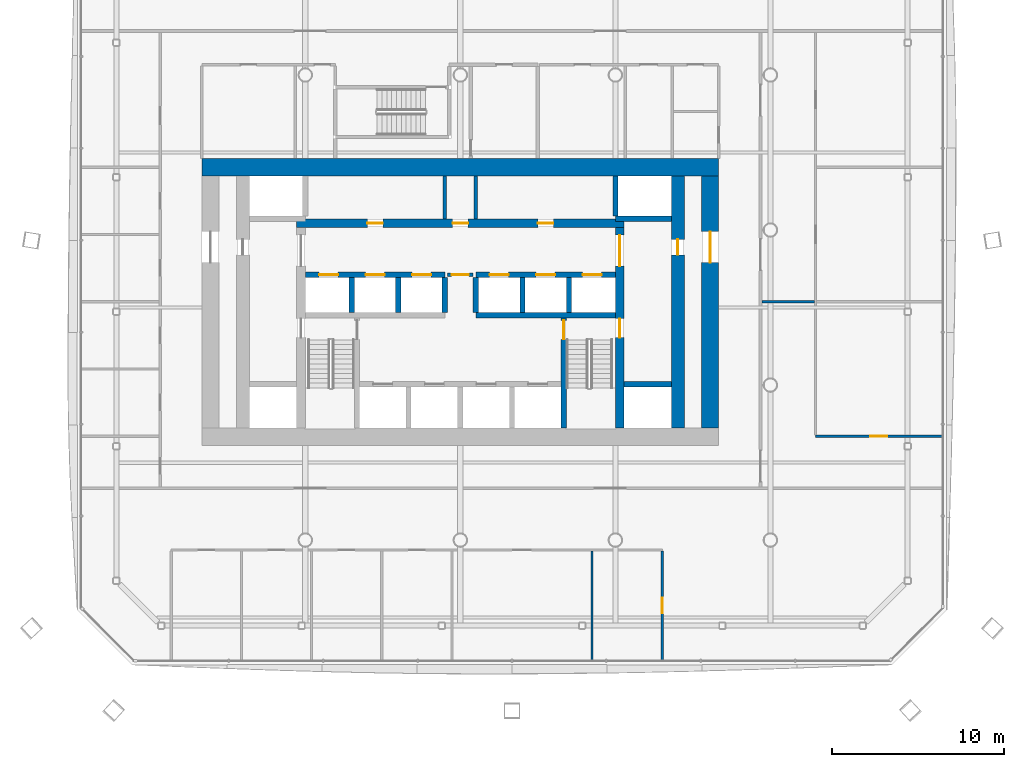
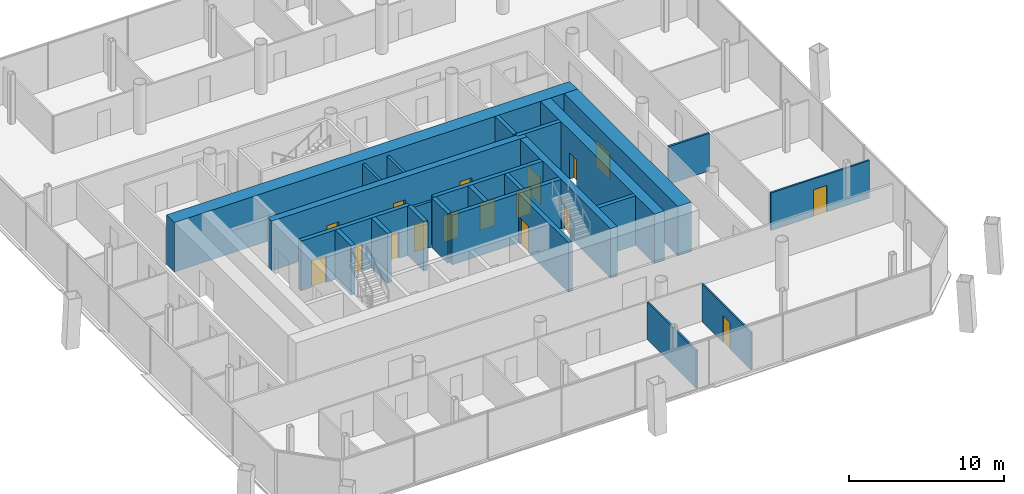
# One storey, part 12 of 19: 25 walls, 17 doors, 17 openings.
"""IFC4 building model written with IfcOpenShell, lengths in metres."""

from ifc_helpers import new_model, si_unit, direction, frame, frame_2d, origin, place, context, subcontext, project, spatial, rectangle, extrude, material, layer, layer_set, type_object, element, fill, save


model = new_model("IFC4")

# Units and contexts
model_context = context("Model", 3, precision=1e-05, world=origin(), true_north=direction((0.0, 1.0)))
body_context = subcontext(model_context, "Body", "Model", "MODEL_VIEW")
ifc_project = project(units=[si_unit("LENGTHUNIT", "METRE"), si_unit("AREAUNIT", "SQUARE_METRE"), si_unit("VOLUMEUNIT", "CUBIC_METRE"), si_unit("PLANEANGLEUNIT", "RADIAN"), si_unit("MASSUNIT", "GRAM", prefix="KILO")], contexts=[model_context])

# Site, building, storey
site_placement = place(None, origin())
site = spatial("IfcSite", under=ifc_project, at=site_placement, CompositionType="ELEMENT")
building_placement = place(site_placement, origin())
building = spatial("IfcBuilding", under=site, at=building_placement, Name="Tskaro Facet Tower", CompositionType="ELEMENT")
storey_placement = place(building_placement, frame((0.0, 0.0, 77.699951171875)))
storey = spatial("IfcBuildingStorey", under=building, at=storey_placement, Name="L18", CompositionType="ELEMENT", Elevation=77.699951171875)

# Walls
ifc_material_1 = material(Name="Concrete C60/75", Category="concrete")
ifc_layer_1 = layer(ifc_material_1, 0.300048828125, Name="Concrete C60/75")
ifc_layer_set_1 = layer_set([ifc_layer_1], Name="Concrete C60/75")
wall_type_1 = type_object("IfcWallType", Name="CORE-SHAFT", PredefinedType="SHEAR", material=ifc_layer_set_1)
wall_1_placement = place(storey_placement, frame((9.5, -8.949951171875, 0.0), z_axis=(0.0, 0.0, 1.0), x_axis=(1.0, 0.0, 0.0)))
element("IfcWall", 1, at=wall_1_placement, inside=storey, type_object=wall_type_1, Name="Shaft wall W007", PredefinedType="SHEAR", context=body_context, shape_type="SweptSolid", body=[
    extrude(rectangle(XDim=2.75, YDim=0.300048828125, at=frame_2d((1.375, 0.0))), origin(), (0.0, 0.0, 1.0), 3.900146484375),
])
wall_2_placement = place(storey_placement, frame((0.89990234375, -4.949951171875, 0.0), z_axis=(0.0, 0.0, 1.0), x_axis=(1.0, 0.0, 0.0)))
element("IfcWall", 2, at=wall_2_placement, inside=storey, type_object=wall_type_1, Name="Shaft wall W010", PredefinedType="SHEAR", context=body_context, shape_type="SweptSolid", body=[
    extrude(rectangle(XDim=8.10009765625, YDim=0.300048828125, at=frame_2d((4.050048828125, 0.0))), origin(), (0.0, 0.0, 1.0), 3.900146484375),
])

# Wall, openings, doors
wall_3_placement = place(storey_placement, frame((-9.0, -2.60009765625, 0.0), z_axis=(0.0, 0.0, 1.0), x_axis=(1.0, 0.0, 0.0)))
wall_3 = element("IfcWall", 3, at=wall_3_placement, inside=storey, type_object=wall_type_1, Name="Shaft wall W014", PredefinedType="SHEAR", context=body_context, shape_type="SweptSolid", body=[
    extrude(rectangle(XDim=8.10009765625, YDim=0.300048828125, at=frame_2d((4.050048828125, 0.0))), origin(), (0.0, 0.0, 1.0), 3.900146484375),
])
opening_1_placement = place(wall_3_placement, frame((0.800048828125, 0.0, 0.0)))
opening_1 = element("IfcOpeningElement", 4, at=opening_1_placement, cuts=wall_3, Name="Opening LD-LR1", PredefinedType="OPENING", context=body_context, shape_type="SweptSolid", body=[
    extrude(rectangle(XDim=1.10009765625, YDim=2.10009765625, at=frame_2d((0.550048828125, 1.050048828125))), frame((0.0, 0.159912109375, 0.0), z_axis=(0.0, -1.0, 0.0), x_axis=(1.0, 0.0, 0.0)), (0.0, 0.0, 1.0), 0.320068359375),
])
opening_2_placement = place(wall_3_placement, frame((3.5, 0.0, 0.0)))
opening_2 = element("IfcOpeningElement", 5, at=opening_2_placement, cuts=wall_3, Name="Opening LD-LR2", PredefinedType="OPENING", context=body_context, shape_type="SweptSolid", body=[
    extrude(rectangle(XDim=1.10009765625, YDim=2.10009765625, at=frame_2d((0.550048828125, 1.050048828125))), frame((0.0, 0.159912109375, 0.0), z_axis=(0.0, -1.0, 0.0), x_axis=(1.0, 0.0, 0.0)), (0.0, 0.0, 1.0), 0.320068359375),
])
opening_3_placement = place(wall_3_placement, frame((6.199951171875, 0.0, 0.0)))
opening_3 = element("IfcOpeningElement", 6, at=opening_3_placement, cuts=wall_3, Name="Opening LD-LR3", PredefinedType="OPENING", context=body_context, shape_type="SweptSolid", body=[
    extrude(rectangle(XDim=1.10009765625, YDim=2.10009765625, at=frame_2d((0.550048828125, 1.050048828125))), frame((0.0, 0.159912109375, 0.0), z_axis=(0.0, -1.0, 0.0), x_axis=(1.0, 0.0, 0.0)), (0.0, 0.0, 1.0), 0.320068359375),
])
ifc_material_2 = material(Name="Stainless steel", Category="steel")
door_type_1 = type_object("IfcDoorType", Name="D-LANDING", OperationType="NOTDEFINED", PredefinedType="DOOR", material=ifc_material_2)
door_1_placement = place(opening_1_placement, origin())
door_1 = element("IfcDoor", 7, at=door_1_placement, inside=storey, type_object=door_type_1, Name="Landing door LR1", OperationType="DOUBLE_DOOR_SLIDING", OverallHeight=2.10009765625, OverallWidth=1.10009765625, PredefinedType="DOOR", context=body_context, shape_type="SweptSolid", body=[
    extrude(rectangle(XDim=1.10009765625, YDim=2.10009765625, at=frame_2d((0.550048828125, 1.050048828125))), frame((0.0, 0.02490234375, 0.0), z_axis=(0.0, -1.0, 0.0), x_axis=(1.0, 0.0, 0.0)), (0.0, 0.0, 1.0), 0.050048828125),
])
fill(opening_1, door_1)
door_2_placement = place(opening_2_placement, origin())
door_2 = element("IfcDoor", 8, at=door_2_placement, inside=storey, type_object=door_type_1, Name="Landing door LR2", OperationType="DOUBLE_DOOR_SLIDING", OverallHeight=2.10009765625, OverallWidth=1.10009765625, PredefinedType="DOOR", context=body_context, shape_type="SweptSolid", body=[
    extrude(rectangle(XDim=1.10009765625, YDim=2.10009765625, at=frame_2d((0.550048828125, 1.050048828125))), frame((0.0, 0.02490234375, 0.0), z_axis=(0.0, -1.0, 0.0), x_axis=(1.0, 0.0, 0.0)), (0.0, 0.0, 1.0), 0.050048828125),
])
fill(opening_2, door_2)
door_3_placement = place(opening_3_placement, origin())
door_3 = element("IfcDoor", 9, at=door_3_placement, inside=storey, type_object=door_type_1, Name="Landing door LR3", OperationType="DOUBLE_DOOR_SLIDING", OverallHeight=2.10009765625, OverallWidth=1.10009765625, PredefinedType="DOOR", context=body_context, shape_type="SweptSolid", body=[
    extrude(rectangle(XDim=1.10009765625, YDim=2.10009765625, at=frame_2d((0.550048828125, 1.050048828125))), frame((0.0, 0.02490234375, 0.0), z_axis=(0.0, -1.0, 0.0), x_axis=(1.0, 0.0, 0.0)), (0.0, 0.0, 1.0), 0.050048828125),
])
fill(opening_3, door_3)

wall_4_placement = place(storey_placement, frame((0.89990234375, -2.60009765625, 0.0), z_axis=(0.0, 0.0, 1.0), x_axis=(1.0, 0.0, 0.0)))
wall_4 = element("IfcWall", 10, at=wall_4_placement, inside=storey, type_object=wall_type_1, Name="Shaft wall W016", PredefinedType="SHEAR", context=body_context, shape_type="SweptSolid", body=[
    extrude(rectangle(XDim=8.10009765625, YDim=0.300048828125, at=frame_2d((4.050048828125, 0.0))), origin(), (0.0, 0.0, 1.0), 3.900146484375),
])
opening_4_placement = place(wall_4_placement, frame((0.800048828125, 0.0, 0.0)))
opening_4 = element("IfcOpeningElement", 11, at=opening_4_placement, cuts=wall_4, Name="Opening LD-LR4", PredefinedType="OPENING", context=body_context, shape_type="SweptSolid", body=[
    extrude(rectangle(XDim=1.10009765625, YDim=2.10009765625, at=frame_2d((0.550048828125, 1.050048828125))), frame((0.0, 0.159912109375, 0.0), z_axis=(0.0, -1.0, 0.0), x_axis=(1.0, 0.0, 0.0)), (0.0, 0.0, 1.0), 0.320068359375),
])
opening_5_placement = place(wall_4_placement, frame((3.5, 0.0, 0.0)))
opening_5 = element("IfcOpeningElement", 12, at=opening_5_placement, cuts=wall_4, Name="Opening LD-LR5", PredefinedType="OPENING", context=body_context, shape_type="SweptSolid", body=[
    extrude(rectangle(XDim=1.10009765625, YDim=2.10009765625, at=frame_2d((0.550048828125, 1.050048828125))), frame((0.0, 0.159912109375, 0.0), z_axis=(0.0, -1.0, 0.0), x_axis=(1.0, 0.0, 0.0)), (0.0, 0.0, 1.0), 0.320068359375),
])
opening_6_placement = place(wall_4_placement, frame((6.199951171875, 0.0, 0.0)))
opening_6 = element("IfcOpeningElement", 13, at=opening_6_placement, cuts=wall_4, Name="Opening LD-LR6", PredefinedType="OPENING", context=body_context, shape_type="SweptSolid", body=[
    extrude(rectangle(XDim=1.10009765625, YDim=2.10009765625, at=frame_2d((0.550048828125, 1.050048828125))), frame((0.0, 0.159912109375, 0.0), z_axis=(0.0, -1.0, 0.0), x_axis=(1.0, 0.0, 0.0)), (0.0, 0.0, 1.0), 0.320068359375),
])
door_4_placement = place(opening_4_placement, origin())
door_4 = element("IfcDoor", 14, at=door_4_placement, inside=storey, type_object=door_type_1, Name="Landing door LR4", OperationType="DOUBLE_DOOR_SLIDING", OverallHeight=2.10009765625, OverallWidth=1.10009765625, PredefinedType="DOOR", context=body_context, shape_type="SweptSolid", body=[
    extrude(rectangle(XDim=1.10009765625, YDim=2.10009765625, at=frame_2d((0.550048828125, 1.050048828125))), frame((0.0, 0.02490234375, 0.0), z_axis=(0.0, -1.0, 0.0), x_axis=(1.0, 0.0, 0.0)), (0.0, 0.0, 1.0), 0.050048828125),
])
fill(opening_4, door_4)
door_5_placement = place(opening_5_placement, origin())
door_5 = element("IfcDoor", 15, at=door_5_placement, inside=storey, type_object=door_type_1, Name="Landing door LR5", OperationType="DOUBLE_DOOR_SLIDING", OverallHeight=2.10009765625, OverallWidth=1.10009765625, PredefinedType="DOOR", context=body_context, shape_type="SweptSolid", body=[
    extrude(rectangle(XDim=1.10009765625, YDim=2.10009765625, at=frame_2d((0.550048828125, 1.050048828125))), frame((0.0, 0.02490234375, 0.0), z_axis=(0.0, -1.0, 0.0), x_axis=(1.0, 0.0, 0.0)), (0.0, 0.0, 1.0), 0.050048828125),
])
fill(opening_5, door_5)
door_6_placement = place(opening_6_placement, origin())
door_6 = element("IfcDoor", 16, at=door_6_placement, inside=storey, type_object=door_type_1, Name="Landing door LR6", OperationType="DOUBLE_DOOR_SLIDING", OverallHeight=2.10009765625, OverallWidth=1.10009765625, PredefinedType="DOOR", context=body_context, shape_type="SweptSolid", body=[
    extrude(rectangle(XDim=1.10009765625, YDim=2.10009765625, at=frame_2d((0.550048828125, 1.050048828125))), frame((0.0, 0.02490234375, 0.0), z_axis=(0.0, -1.0, 0.0), x_axis=(1.0, 0.0, 0.0)), (0.0, 0.0, 1.0), 0.050048828125),
])
fill(opening_6, door_6)

# Walls
wall_5_placement = place(storey_placement, frame((12.25, 0.64990234375, 0.0), z_axis=(0.0, 0.0, 1.0), x_axis=(-1.0, 0.0, 0.0)))
element("IfcWall", 17, at=wall_5_placement, inside=storey, type_object=wall_type_1, Name="Shaft wall W019", PredefinedType="SHEAR", context=body_context, shape_type="SweptSolid", body=[
    extrude(rectangle(XDim=3.25, YDim=0.300048828125, at=frame_2d((1.625, 0.0))), origin(), (0.0, 0.0, 1.0), 3.900146484375),
])
for number, where, z_axis, x_axis, name in (
    (18, (-6.300048828125, -4.800048828125, 0.0), (0.0, 0.0, 1.0), (0.0, 1.0, 0.0), "Shaft wall W042"),
    (19, (-3.60009765625, -4.800048828125, 0.0), (0.0, 0.0, 1.0), (0.0, 1.0, 0.0), "Shaft wall W045"),
    (20, (-0.89990234375, -4.800048828125, 0.0), (0.0, 0.0, 1.0), (0.0, 1.0, 0.0), "Shaft wall W047"),
    (21, (0.89990234375, -4.800048828125, 0.0), (0.0, 0.0, 1.0), (0.0, 1.0, 0.0), "Shaft wall W055"),
    (22, (3.60009765625, -4.800048828125, 0.0), (0.0, 0.0, 1.0), (0.0, 1.0, 0.0), "Shaft wall W059"),
):
    element("IfcWall", number, at=place(storey_placement, frame(where, z_axis=z_axis, x_axis=x_axis)), inside=storey, type_object=wall_type_1, Name=name, PredefinedType="SHEAR", context=body_context, shape_type="SweptSolid", body=[
        extrude(rectangle(XDim=2.050048828125, YDim=0.300048828125, at=frame_2d((1.02490234375, 0.0))), origin(), (0.0, 0.0, 1.0), 3.900146484375),
    ])

# Wall, opening, door
wall_6_placement = place(storey_placement, frame((6.0, -5.10009765625, 0.0), z_axis=(0.0, 0.0, 1.0), x_axis=(0.0, -1.0, 0.0)))
wall_6 = element("IfcWall", 23, at=wall_6_placement, inside=storey, type_object=wall_type_1, Name="Shaft wall W061", PredefinedType="SHEAR", context=body_context, shape_type="SweptSolid", body=[
    extrude(rectangle(XDim=6.39990234375, YDim=0.300048828125, at=frame_2d((3.199951171875, 0.0))), origin(), (0.0, 0.0, 1.0), 3.900146484375),
])
opening_7_placement = place(wall_6_placement, frame((0.14990234375, 0.0, 0.0)))
opening_7 = element("IfcOpeningElement", 24, at=opening_7_placement, cuts=wall_6, Name="Opening ST-2-D1", PredefinedType="OPENING", context=body_context, shape_type="SweptSolid", body=[
    extrude(rectangle(XDim=1.10009765625, YDim=2.10009765625, at=frame_2d((0.550048828125, 1.050048828125))), frame((0.0, 0.159912109375, 0.0), z_axis=(0.0, -1.0, 0.0), x_axis=(1.0, 0.0, 0.0)), (0.0, 0.0, 1.0), 0.320068359375),
])
ifc_material_3 = material(Name="Steel", Category="steel")
door_type_2 = type_object("IfcDoorType", Name="D-STAIR", OperationType="NOTDEFINED", PredefinedType="DOOR", material=ifc_material_3)
door_7_placement = place(opening_7_placement, origin())
door_7 = element("IfcDoor", 25, at=door_7_placement, inside=storey, type_object=door_type_2, Name="Stair door 2", OperationType="SINGLE_SWING_RIGHT", OverallHeight=2.10009765625, OverallWidth=1.10009765625, PredefinedType="DOOR", context=body_context, shape_type="SweptSolid", body=[
    extrude(rectangle(XDim=1.10009765625, YDim=2.10009765625, at=frame_2d((0.550048828125, 1.050048828125))), frame((0.0, 0.02490234375, 0.0), z_axis=(0.0, -1.0, 0.0), x_axis=(1.0, 0.0, 0.0)), (0.0, 0.0, 1.0), 0.050048828125),
])
fill(opening_7, door_7)

# Walls
wall_7_placement = place(storey_placement, frame((6.300048828125, -4.800048828125, 0.0), z_axis=(0.0, 0.0, 1.0), x_axis=(0.0, 1.0, 0.0)))
element("IfcWall", 26, at=wall_7_placement, inside=storey, type_object=wall_type_1, Name="Shaft wall W062", PredefinedType="SHEAR", context=body_context, shape_type="SweptSolid", body=[
    extrude(rectangle(XDim=2.050048828125, YDim=0.300048828125, at=frame_2d((1.02490234375, 0.0))), origin(), (0.0, 0.0, 1.0), 3.900146484375),
])
wall_8_placement = place(storey_placement, frame((9.0, 0.800048828125, 0.0), z_axis=(0.0, 0.0, 1.0), x_axis=(0.0, 1.0, 0.0)))
element("IfcWall", 27, at=wall_8_placement, inside=storey, type_object=wall_type_1, Name="Shaft wall W065", PredefinedType="SHEAR", context=body_context, shape_type="SweptSolid", body=[
    extrude(rectangle(XDim=2.349853515625, YDim=0.300048828125, at=frame_2d((1.1748046875, 0.0))), origin(), (0.0, 0.0, 1.0), 3.900146484375),
])

# Wall, opening, door
ifc_material_4 = material(Name="Concrete C20/25", Category="concrete")
ifc_layer_2 = layer(ifc_material_4, 0.199951171875, Name="Concrete C20/25")
ifc_layer_set_2 = layer_set([ifc_layer_2], Name="Concrete C20/25")
wall_type_2 = type_object("IfcWallType", Name="CORE-WALL", PredefinedType="SOLIDWALL", material=ifc_layer_set_2)
wall_9_placement = place(storey_placement, frame((0.75, -2.60009765625, 0.0), z_axis=(0.0, 0.0, 1.0), x_axis=(-1.0, 0.0, 0.0)))
wall_9 = element("IfcWall", 28, at=wall_9_placement, inside=storey, type_object=wall_type_2, Name="Core room wall W015", PredefinedType="SOLIDWALL", context=body_context, shape_type="SweptSolid", body=[
    extrude(rectangle(XDim=1.5, YDim=0.199951171875, at=frame_2d((0.75, 0.0))), origin(), (0.0, 0.0, 1.0), 3.60009765625),
])
opening_8_placement = place(wall_9_placement, frame((0.25, 0.0, 0.0)))
opening_8 = element("IfcOpeningElement", 29, at=opening_8_placement, cuts=wall_9, Name="Opening FL-D1", PredefinedType="OPENING", context=body_context, shape_type="SweptSolid", body=[
    extrude(rectangle(XDim=1.0, YDim=2.10009765625, at=frame_2d((0.5, 1.050048828125))), frame((0.0, 0.10986328125, 0.0), z_axis=(0.0, -1.0, 0.0), x_axis=(1.0, 0.0, 0.0)), (0.0, 0.0, 1.0), 0.219970703125),
])
door_type_3 = type_object("IfcDoorType", Name="D-LOBBY", OperationType="NOTDEFINED", PredefinedType="DOOR", material=ifc_material_3)
door_8_placement = place(opening_8_placement, origin())
door_8 = element("IfcDoor", 30, at=door_8_placement, inside=storey, type_object=door_type_3, Name="Lobby door FL", OperationType="SINGLE_SWING_RIGHT", OverallHeight=2.10009765625, OverallWidth=1.0, PredefinedType="DOOR", context=body_context, shape_type="SweptSolid", body=[
    extrude(rectangle(XDim=1.0, YDim=2.10009765625, at=frame_2d((0.5, 1.050048828125))), frame((0.0, 0.02490234375, 0.0), z_axis=(0.0, -1.0, 0.0), x_axis=(1.0, 0.0, 0.0)), (0.0, 0.0, 1.0), 0.050048828125),
])
fill(opening_8, door_8)

# Walls
for number, where, z_axis, x_axis, name in (
    (31, (-0.89990234375, 0.64990234375, 0.0), (0.0, 0.0, 1.0), (0.0, 1.0, 0.0), "Core room wall W048"),
    (32, (0.89990234375, 0.64990234375, 0.0), (0.0, 0.0, 1.0), (0.0, 1.0, 0.0), "Core room wall W056"),
):
    element("IfcWall", number, at=place(storey_placement, frame(where, z_axis=z_axis, x_axis=x_axis)), inside=storey, type_object=wall_type_2, Name=name, PredefinedType="SOLIDWALL", context=body_context, shape_type="SweptSolid", body=[
        extrude(rectangle(XDim=2.5, YDim=0.199951171875, at=frame_2d((1.25, 0.0))), origin(), (0.0, 0.0, 1.0), 3.60009765625),
    ])
ifc_layer_3 = layer(ifc_material_1, 1.0, Name="Concrete C60/75")
ifc_layer_set_3 = layer_set([ifc_layer_3], Name="Concrete C60/75")
wall_type_3 = type_object("IfcWallType", Name="Core wall 1000", PredefinedType="SHEAR", material=ifc_layer_set_3)
wall_10_placement = place(storey_placement, frame((-15.0, 3.64990234375, 0.0), z_axis=(0.0, 0.0, 1.0), x_axis=(1.0, 0.0, 0.0)))
element("IfcWall", 33, at=wall_10_placement, inside=storey, type_object=wall_type_3, Name="Core wall CW-Z1N", PredefinedType="SHEAR", context=body_context, shape_type="SweptSolid", body=[
    extrude(rectangle(XDim=30.0, YDim=1.0, at=frame_2d((15.0, 0.0))), origin(), (0.0, 0.0, 1.0), 3.900146484375),
])

# Wall, opening, door
wall_11_placement = place(storey_placement, frame((14.5, -11.5, 0.0), z_axis=(0.0, 0.0, 1.0), x_axis=(0.0, 1.0, 0.0)))
wall_11 = element("IfcWall", 34, at=wall_11_placement, inside=storey, type_object=wall_type_3, Name="Core wall CW-Z1E", PredefinedType="SHEAR", context=body_context, shape_type="SweptSolid", body=[
    extrude(rectangle(XDim=14.64990234375, YDim=1.0, at=frame_2d((7.324951171875, 0.0))), origin(), (0.0, 0.0, 1.0), 3.900146484375),
])
opening_9_placement = place(wall_11_placement, frame((9.60009765625, 0.0, 0.0)))
opening_9 = element("IfcOpeningElement", 35, at=opening_9_placement, cuts=wall_11, Name="Opening T5-D23", PredefinedType="OPENING", context=body_context, shape_type="SweptSolid", body=[
    extrude(rectangle(XDim=1.800048828125, YDim=2.10009765625, at=frame_2d((0.89990234375, 1.050048828125))), frame((0.0, 0.510009765625, 0.0), z_axis=(0.0, -1.0, 0.0), x_axis=(1.0, 0.0, 0.0)), (0.0, 0.0, 1.0), 1.02001953125),
])
door_type_4 = type_object("IfcDoorType", Name="D-CORE-PAIR", OperationType="NOTDEFINED", PredefinedType="DOOR", material=ifc_material_3)
door_9_placement = place(opening_9_placement, origin())
door_9 = element("IfcDoor", 36, at=door_9_placement, inside=storey, type_object=door_type_4, Name="Door T5-D23", OperationType="DOUBLE_DOOR_SINGLE_SWING", OverallHeight=2.10009765625, OverallWidth=1.800048828125, PredefinedType="DOOR", context=body_context, shape_type="SweptSolid", body=[
    extrude(rectangle(XDim=1.800048828125, YDim=2.10009765625, at=frame_2d((0.89990234375, 1.050048828125))), frame((0.0, 0.02490234375, 0.0), z_axis=(0.0, -1.0, 0.0), x_axis=(1.0, 0.0, 0.0)), (0.0, 0.0, 1.0), 0.050048828125),
])
fill(opening_9, door_9)

# Wall, openings, doors
ifc_material_5 = material(Name="Concrete C40/50", Category="concrete")
ifc_layer_4 = layer(ifc_material_5, 0.5, Name="Concrete C40/50")
ifc_layer_set_4 = layer_set([ifc_layer_4], Name="Concrete C40/50")
wall_type_4 = type_object("IfcWallType", Name="Core wall 500", PredefinedType="SHEAR", material=ifc_layer_set_4)
wall_12_placement = place(storey_placement, frame((-9.5, 0.39990234375, 0.0), z_axis=(0.0, 0.0, 1.0), x_axis=(1.0, 0.0, 0.0)))
wall_12 = element("IfcWall", 37, at=wall_12_placement, inside=storey, type_object=wall_type_4, Name="Core wall CW-Z3N", PredefinedType="SHEAR", context=body_context, shape_type="SweptSolid", body=[
    extrude(rectangle(XDim=19.0, YDim=0.5, at=frame_2d((9.5, 0.0))), origin(), (0.0, 0.0, 1.0), 3.900146484375),
])
opening_10_placement = place(wall_12_placement, frame((4.10009765625, 0.0, 0.0)))
opening_10 = element("IfcOpeningElement", 38, at=opening_10_placement, cuts=wall_12, Name="Opening T5-D25", PredefinedType="OPENING", context=body_context, shape_type="SweptSolid", body=[
    extrude(rectangle(XDim=0.89990234375, YDim=2.10009765625, at=frame_2d((0.449951171875, 1.050048828125))), frame((0.0, 0.260009765625, 0.0), z_axis=(0.0, -1.0, 0.0), x_axis=(1.0, 0.0, 0.0)), (0.0, 0.0, 1.0), 0.52001953125),
])
opening_11_placement = place(wall_12_placement, frame((14.0, 0.0, 0.0)))
opening_11 = element("IfcOpeningElement", 39, at=opening_11_placement, cuts=wall_12, Name="Opening T5-D27", PredefinedType="OPENING", context=body_context, shape_type="SweptSolid", body=[
    extrude(rectangle(XDim=0.89990234375, YDim=2.10009765625, at=frame_2d((0.449951171875, 1.050048828125))), frame((0.0, 0.260009765625, 0.0), z_axis=(0.0, -1.0, 0.0), x_axis=(1.0, 0.0, 0.0)), (0.0, 0.0, 1.0), 0.52001953125),
])
opening_12_placement = place(wall_12_placement, frame((9.050048828125, 0.0, 0.0)))
opening_12 = element("IfcOpeningElement", 40, at=opening_12_placement, cuts=wall_12, Name="Opening T5-D26", PredefinedType="OPENING", context=body_context, shape_type="SweptSolid", body=[
    extrude(rectangle(XDim=0.89990234375, YDim=2.10009765625, at=frame_2d((0.449951171875, 1.050048828125))), frame((0.0, 0.260009765625, 0.0), z_axis=(0.0, -1.0, 0.0), x_axis=(1.0, 0.0, 0.0)), (0.0, 0.0, 1.0), 0.52001953125),
])
door_type_5 = type_object("IfcDoorType", Name="D-RISER", OperationType="NOTDEFINED", PredefinedType="DOOR", material=ifc_material_3)
door_10_placement = place(opening_12_placement, origin())
door_10 = element("IfcDoor", 41, at=door_10_placement, inside=storey, type_object=door_type_5, Name="Door T5-D26", OperationType="SINGLE_SWING_LEFT", OverallHeight=2.10009765625, OverallWidth=0.89990234375, PredefinedType="DOOR", context=body_context, shape_type="SweptSolid", body=[
    extrude(rectangle(XDim=0.89990234375, YDim=2.10009765625, at=frame_2d((0.449951171875, 1.050048828125))), frame((0.0, 0.02490234375, 0.0), z_axis=(0.0, -1.0, 0.0), x_axis=(1.0, 0.0, 0.0)), (0.0, 0.0, 1.0), 0.050048828125),
])
fill(opening_12, door_10)
ifc_material_6 = material(Name="Timber", Category="wood")
door_type_6 = type_object("IfcDoorType", Name="D-ROOM", OperationType="NOTDEFINED", PredefinedType="DOOR", material=ifc_material_6)
door_11_placement = place(opening_10_placement, origin())
door_11 = element("IfcDoor", 42, at=door_11_placement, inside=storey, type_object=door_type_6, Name="Door T5-D25", OperationType="SINGLE_SWING_LEFT", OverallHeight=2.10009765625, OverallWidth=0.89990234375, PredefinedType="DOOR", context=body_context, shape_type="SweptSolid", body=[
    extrude(rectangle(XDim=0.89990234375, YDim=2.10009765625, at=frame_2d((0.449951171875, 1.050048828125))), frame((0.0, 0.02490234375, 0.0), z_axis=(0.0, -1.0, 0.0), x_axis=(1.0, 0.0, 0.0)), (0.0, 0.0, 1.0), 0.050048828125),
])
fill(opening_10, door_11)
door_12_placement = place(opening_11_placement, origin())
door_12 = element("IfcDoor", 43, at=door_12_placement, inside=storey, type_object=door_type_6, Name="Door T5-D27", OperationType="SINGLE_SWING_LEFT", OverallHeight=2.10009765625, OverallWidth=0.89990234375, PredefinedType="DOOR", context=body_context, shape_type="SweptSolid", body=[
    extrude(rectangle(XDim=0.89990234375, YDim=2.10009765625, at=frame_2d((0.449951171875, 1.050048828125))), frame((0.0, 0.02490234375, 0.0), z_axis=(0.0, -1.0, 0.0), x_axis=(1.0, 0.0, 0.0)), (0.0, 0.0, 1.0), 0.050048828125),
])
fill(opening_11, door_12)

wall_13_placement = place(storey_placement, frame((9.25, -11.5, 0.0), z_axis=(0.0, 0.0, 1.0), x_axis=(0.0, 1.0, 0.0)))
wall_13 = element("IfcWall", 44, at=wall_13_placement, inside=storey, type_object=wall_type_4, Name="Core wall CW-Z3E", PredefinedType="SHEAR", context=body_context, shape_type="SweptSolid", body=[
    extrude(rectangle(XDim=11.64990234375, YDim=0.5, at=frame_2d((5.824951171875, 0.0))), origin(), (0.0, 0.0, 1.0), 3.900146484375),
])
opening_13_placement = place(wall_13_placement, frame((9.39990234375, 0.0, 0.0)))
opening_13 = element("IfcOpeningElement", 45, at=opening_13_placement, cuts=wall_13, Name="Opening T5-D19", PredefinedType="OPENING", context=body_context, shape_type="SweptSolid", body=[
    extrude(rectangle(XDim=1.800048828125, YDim=2.10009765625, at=frame_2d((0.89990234375, 1.050048828125))), frame((0.0, 0.260009765625, 0.0), z_axis=(0.0, -1.0, 0.0), x_axis=(1.0, 0.0, 0.0)), (0.0, 0.0, 1.0), 0.52001953125),
])
opening_14_placement = place(wall_13_placement, frame((5.25, 0.0, 0.0)))
opening_14 = element("IfcOpeningElement", 46, at=opening_14_placement, cuts=wall_13, Name="Opening ST-2-D2", PredefinedType="OPENING", context=body_context, shape_type="SweptSolid", body=[
    extrude(rectangle(XDim=1.10009765625, YDim=2.10009765625, at=frame_2d((0.550048828125, 1.050048828125))), frame((0.0, 0.260009765625, 0.0), z_axis=(0.0, -1.0, 0.0), x_axis=(1.0, 0.0, 0.0)), (0.0, 0.0, 1.0), 0.52001953125),
])
door_13_placement = place(opening_13_placement, origin())
door_13 = element("IfcDoor", 47, at=door_13_placement, inside=storey, type_object=door_type_4, Name="Door T5-D19", OperationType="DOUBLE_DOOR_SINGLE_SWING", OverallHeight=2.10009765625, OverallWidth=1.800048828125, PredefinedType="DOOR", context=body_context, shape_type="SweptSolid", body=[
    extrude(rectangle(XDim=1.800048828125, YDim=2.10009765625, at=frame_2d((0.89990234375, 1.050048828125))), frame((0.0, 0.02490234375, 0.0), z_axis=(0.0, -1.0, 0.0), x_axis=(1.0, 0.0, 0.0)), (0.0, 0.0, 1.0), 0.050048828125),
])
fill(opening_13, door_13)
door_14_placement = place(opening_14_placement, origin())
door_14 = element("IfcDoor", 48, at=door_14_placement, inside=storey, type_object=door_type_2, Name="Stair door 2 east", OperationType="SINGLE_SWING_LEFT", OverallHeight=2.10009765625, OverallWidth=1.10009765625, PredefinedType="DOOR", context=body_context, shape_type="SweptSolid", body=[
    extrude(rectangle(XDim=1.10009765625, YDim=2.10009765625, at=frame_2d((0.550048828125, 1.050048828125))), frame((0.0, 0.02490234375, 0.0), z_axis=(0.0, -1.0, 0.0), x_axis=(1.0, 0.0, 0.0)), (0.0, 0.0, 1.0), 0.050048828125),
])
fill(opening_14, door_14)

# Wall, opening, door
ifc_material_7 = material(Name="Concrete C50/60", Category="concrete")
ifc_layer_5 = layer(ifc_material_7, 0.75, Name="Concrete C50/60")
ifc_layer_set_5 = layer_set([ifc_layer_5], Name="Concrete C50/60")
wall_type_5 = type_object("IfcWallType", Name="Core wall 750", PredefinedType="SHEAR", material=ifc_layer_set_5)
wall_14_placement = place(storey_placement, frame((12.625, -11.5, 0.0), z_axis=(0.0, 0.0, 1.0), x_axis=(0.0, 1.0, 0.0)))
wall_14 = element("IfcWall", 49, at=wall_14_placement, inside=storey, type_object=wall_type_5, Name="Core wall CW-Z2E", PredefinedType="SHEAR", context=body_context, shape_type="SweptSolid", body=[
    extrude(rectangle(XDim=14.64990234375, YDim=0.75, at=frame_2d((7.324951171875, 0.0))), origin(), (0.0, 0.0, 1.0), 3.900146484375),
])
opening_15_placement = place(wall_14_placement, frame((10.050048828125, 0.0, 0.0)))
opening_15 = element("IfcOpeningElement", 50, at=opening_15_placement, cuts=wall_14, Name="Opening T5-D22", PredefinedType="OPENING", context=body_context, shape_type="SweptSolid", body=[
    extrude(rectangle(XDim=0.89990234375, YDim=2.10009765625, at=frame_2d((0.449951171875, 1.050048828125))), frame((0.0, 0.385009765625, 0.0), z_axis=(0.0, -1.0, 0.0), x_axis=(1.0, 0.0, 0.0)), (0.0, 0.0, 1.0), 0.77001953125),
])
door_15_placement = place(opening_15_placement, origin())
door_15 = element("IfcDoor", 51, at=door_15_placement, inside=storey, type_object=door_type_6, Name="Door T5-D22", OperationType="SINGLE_SWING_LEFT", OverallHeight=2.10009765625, OverallWidth=0.89990234375, PredefinedType="DOOR", context=body_context, shape_type="SweptSolid", body=[
    extrude(rectangle(XDim=0.89990234375, YDim=2.10009765625, at=frame_2d((0.449951171875, 1.050048828125))), frame((0.0, 0.02490234375, 0.0), z_axis=(0.0, -1.0, 0.0), x_axis=(1.0, 0.0, 0.0)), (0.0, 0.0, 1.0), 0.050048828125),
])
fill(opening_15, door_15)

ifc_material_8 = material(Name="Gypsum board on steel studs", Category="steel")
ifc_layer_6 = layer(ifc_material_8, 0.125, Name="Gypsum board on steel studs")
ifc_layer_set_6 = layer_set([ifc_layer_6], Name="Gypsum board on steel studs")
wall_type_6 = type_object("IfcWallType", Name="PART", PredefinedType="PARTITIONING", material=ifc_layer_set_6)
wall_15_placement = place(storey_placement, frame((20.625, -11.972900390625, 0.0), z_axis=(0.0, 0.0, 1.0), x_axis=(1.0, 0.0, 0.0)))
wall_15 = element("IfcWall", 52, at=wall_15_placement, inside=storey, type_object=wall_type_6, Name="Partition W004", PredefinedType="PARTITIONING", context=body_context, shape_type="SweptSolid", body=[
    extrude(rectangle(XDim=7.3359375, YDim=0.125, at=frame_2d((3.66796875, 0.0))), origin(), (0.0, 0.0, 1.0), 2.9599609375),
])
opening_16_placement = place(wall_15_placement, frame((3.16796875, 0.0, 0.0)))
opening_16 = element("IfcOpeningElement", 53, at=opening_16_placement, cuts=wall_15, Name="Opening T5-D11", PredefinedType="OPENING", context=body_context, shape_type="SweptSolid", body=[
    extrude(rectangle(XDim=1.0, YDim=2.10009765625, at=frame_2d((0.5, 1.050048828125))), frame((0.0, 0.072509765625, 0.0), z_axis=(0.0, -1.0, 0.0), x_axis=(1.0, 0.0, 0.0)), (0.0, 0.0, 1.0), 0.14501953125),
])
door_type_7 = type_object("IfcDoorType", Name="D-ROOM-WIDE", OperationType="NOTDEFINED", PredefinedType="DOOR", material=ifc_material_6)
door_16_placement = place(opening_16_placement, origin())
door_16 = element("IfcDoor", 54, at=door_16_placement, inside=storey, type_object=door_type_7, Name="Door T5-D11", OperationType="SINGLE_SWING_LEFT", OverallHeight=2.10009765625, OverallWidth=1.0, PredefinedType="DOOR", context=body_context, shape_type="SweptSolid", body=[
    extrude(rectangle(XDim=1.0, YDim=2.10009765625, at=frame_2d((0.5, 1.050048828125))), frame((0.0, 0.02490234375, 0.0), z_axis=(0.0, -1.0, 0.0), x_axis=(1.0, 0.0, 0.0)), (0.0, 0.0, 1.0), 0.050048828125),
])
fill(opening_16, door_16)

# Wall
wall_16_placement = place(storey_placement, frame((7.653076171875, -24.9609375, 0.0), z_axis=(0.0, 0.0, 1.0), x_axis=(0.0, 1.0, 0.0)))
element("IfcWall", 55, at=wall_16_placement, inside=storey, type_object=wall_type_6, Name="Partition W064", PredefinedType="PARTITIONING", context=body_context, shape_type="SweptSolid", body=[
    extrude(rectangle(XDim=6.318359375, YDim=0.125, at=frame_2d((3.1591796875, 0.0))), origin(), (0.0, 0.0, 1.0), 2.9599609375),
])

# Wall, opening, door
wall_17_placement = place(storey_placement, frame((11.72607421875, -24.9609375, 0.0), z_axis=(0.0, 0.0, 1.0), x_axis=(0.0, 1.0, 0.0)))
wall_17 = element("IfcWall", 56, at=wall_17_placement, inside=storey, type_object=wall_type_6, Name="Partition W067", PredefinedType="PARTITIONING", context=body_context, shape_type="SweptSolid", body=[
    extrude(rectangle(XDim=6.318359375, YDim=0.125, at=frame_2d((3.1591796875, 0.0))), origin(), (0.0, 0.0, 1.0), 2.9599609375),
])
opening_17_placement = place(wall_17_placement, frame((2.709228515625, 0.0, 0.0)))
opening_17 = element("IfcOpeningElement", 57, at=opening_17_placement, cuts=wall_17, Name="Opening T5-D01", PredefinedType="OPENING", context=body_context, shape_type="SweptSolid", body=[
    extrude(rectangle(XDim=0.89990234375, YDim=2.10009765625, at=frame_2d((0.449951171875, 1.050048828125))), frame((0.0, 0.072509765625, 0.0), z_axis=(0.0, -1.0, 0.0), x_axis=(1.0, 0.0, 0.0)), (0.0, 0.0, 1.0), 0.14501953125),
])
door_17_placement = place(opening_17_placement, origin())
door_17 = element("IfcDoor", 58, at=door_17_placement, inside=storey, type_object=door_type_6, Name="Door T5-D01", OperationType="SINGLE_SWING_LEFT", OverallHeight=2.10009765625, OverallWidth=0.89990234375, PredefinedType="DOOR", context=body_context, shape_type="SweptSolid", body=[
    extrude(rectangle(XDim=0.89990234375, YDim=2.10009765625, at=frame_2d((0.449951171875, 1.050048828125))), frame((0.0, 0.02490234375, 0.0), z_axis=(0.0, -1.0, 0.0), x_axis=(1.0, 0.0, 0.0)), (0.0, 0.0, 1.0), 0.050048828125),
])
fill(opening_17, door_17)

# Wall
ifc_layer_7 = layer(ifc_material_8, 0.14990234375, Name="Gypsum board on steel studs")
ifc_layer_set_7 = layer_set([ifc_layer_7], Name="Gypsum board on steel studs")
wall_type_7 = type_object("IfcWallType", Name="PART-CORR", PredefinedType="PARTITIONING", material=ifc_layer_set_7)
wall_18_placement = place(storey_placement, frame((17.5, -4.162109375, 0.0), z_axis=(0.0, 0.0, 1.0), x_axis=(1.0, 0.0, 0.0)))
element("IfcWall", 59, at=wall_18_placement, inside=storey, type_object=wall_type_7, Name="Corridor wall W012", PredefinedType="PARTITIONING", context=body_context, shape_type="SweptSolid", body=[
    extrude(rectangle(XDim=3.0625, YDim=0.14990234375, at=frame_2d((1.53125, 0.0))), origin(), (0.0, 0.0, 1.0), 2.9599609375),
])

save(model, "model.ifc")
